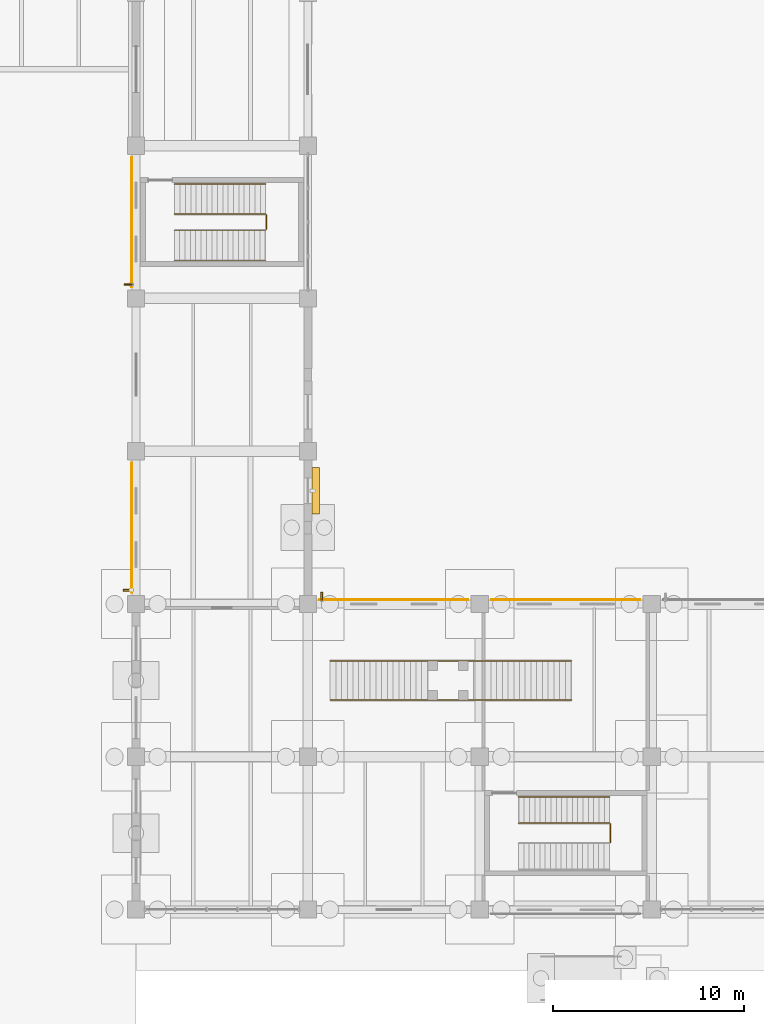
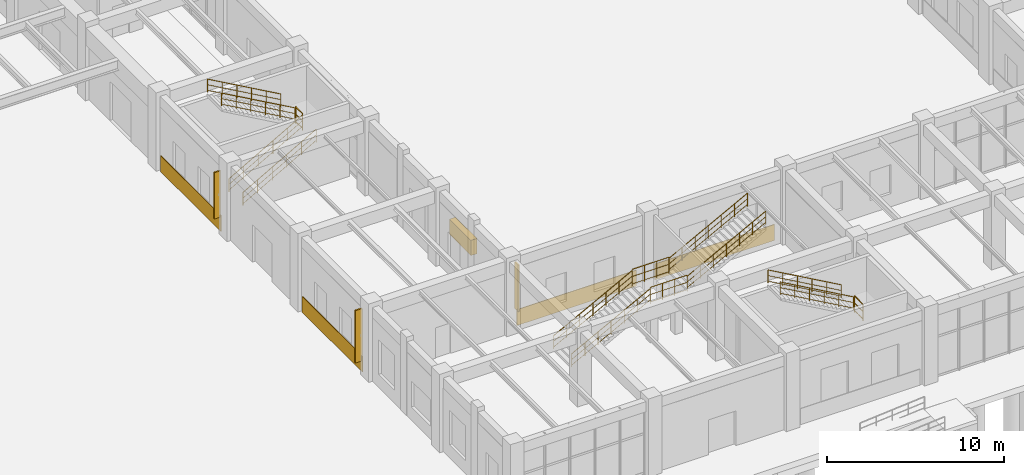
# One storey, part 112 of 121: 14 railings, 4 coverings, 4 shading devices.
"""IFC4 building model written with IfcOpenShell, lengths in metres."""

from ifc_helpers import new_model, si_unit, derived_unit, direction, frame, origin, origin_2d, place, context, subcontext, project, spatial, rectangle, circle, extrude, material, layer, layer_set, type_object, element, save


model = new_model("IFC4")

# Units and contexts
model_context = context("Model", 3, precision=1e-05, world=origin(), true_north=direction((0.0, 1.0)))
body_context = subcontext(model_context, "Body", "Model", "MODEL_VIEW")
ifc_project = project(units=[si_unit("LENGTHUNIT", "METRE"), si_unit("AREAUNIT", "SQUARE_METRE"), si_unit("VOLUMEUNIT", "CUBIC_METRE"), si_unit("PLANEANGLEUNIT", "RADIAN"), si_unit("MASSUNIT", "GRAM", prefix="KILO"), derived_unit("THERMALTRANSMITTANCEUNIT", [(si_unit("MASSUNIT", "GRAM", prefix="KILO"), 1), (si_unit("TIMEUNIT", "SECOND"), -3), (si_unit("THERMODYNAMICTEMPERATUREUNIT", "KELVIN"), -1)])], contexts=[model_context])

# Site, building, storey
site_placement = place(None, origin())
site = spatial("IfcSite", under=ifc_project, at=site_placement, CompositionType="ELEMENT")
building_placement = place(site_placement, origin())
building = spatial("IfcBuilding", under=site, at=building_placement, Name="Zhenchuan Archway Interchange", CompositionType="ELEMENT")
storey_placement = place(building_placement, origin())
storey = spatial("IfcBuildingStorey", under=building, at=storey_placement, Name="L00", CompositionType="ELEMENT", Elevation=0.0)

# Coverings
ifc_material_1 = material(Name="Granite Stone Cladding", Category="masonry")
ifc_layer = layer(ifc_material_1, 0.0400390625)
ifc_layer_set = layer_set([ifc_layer], Name="Granite Stone Cladding")
covering_type = type_object("IfcCoveringType", Name="COV_CLAD_GRANITE", PredefinedType="CLADDING", material=ifc_layer_set)
for number, where, z_axis, x_axis, name in (
    (1, (98.77197265625, 28.0, 0.0), (0.0, 0.0, 1.0), (0.0, 1.0, 0.0), "Pearl-grey granite plinth band 089"),
    (2, (98.77197265625, 44.0, 0.0), (0.0, 0.0, 1.0), (0.0, 1.0, 0.0), "Pearl-grey granite plinth band 091"),
):
    element("IfcCovering", number, at=place(storey_placement, frame(where, z_axis=z_axis, x_axis=x_axis)), inside=storey, type_object=covering_type, Name=name, PredefinedType="CLADDING", context=body_context, shape_type="SweptSolid", body=[
        extrude(rectangle(XDim=6.803955078125, YDim=0.0400390625, at=origin_2d()), origin(), (0.0, 0.0, 1.0), 1.10009765625),
    ])
for number, where, z_axis, x_axis, name in (
    (3, (112.5, 24.22802734375, 0.0), (0.0, 0.0, 1.0), (1.0, 0.0, 0.0), "Pearl-grey granite plinth band 127"),
    (4, (121.5, 24.22802734375, 0.0), (0.0, 0.0, 1.0), (1.0, 0.0, 0.0), "Pearl-grey granite plinth band 128"),
):
    element("IfcCovering", number, at=place(storey_placement, frame(where, z_axis=z_axis, x_axis=x_axis)), inside=storey, type_object=covering_type, Name=name, PredefinedType="CLADDING", context=body_context, shape_type="SweptSolid", body=[
        extrude(rectangle(XDim=7.803955078125, YDim=0.0400390625, at=origin_2d()), origin(), (0.0, 0.0, 1.0), 1.10009765625),
    ])

# Railings
ifc_material_2 = material(Name="Painted Galvanised Steel", Category="steel")
railing_type_1 = type_object("IfcRailingType", Name="RL_GUARD_1150", PredefinedType="GUARDRAIL", material=ifc_material_2)
railing_1_placement = place(storey_placement, frame((123.844970703125, 11.514892578125, 2.699951171875)))
element("IfcRailing", 5, at=railing_1_placement, inside=storey, type_object=railing_type_1, Name="Stair ST-O5 half-landing slot guard (L00)", PredefinedType="GUARDRAIL", context=body_context, shape_type="SweptSolid", body=[
    extrude(circle(Radius=0.02392578125, at=origin_2d()), frame((0.0, 0.0, 1.1259765625), z_axis=(0.0, 1.0, 0.0), x_axis=(-1.0, 0.0, 0.0)), (0.0, 0.0, 1.0), 0.97021484375),
    extrude(circle(Radius=0.01611328125, at=origin_2d()), frame((0.0, 0.0, 0.63232421875), z_axis=(0.0, 1.0, 0.0), x_axis=(-1.0, 0.0, 0.0)), (0.0, 0.0, 1.0), 0.97021484375),
    extrude(circle(Radius=0.01611328125, at=origin_2d()), frame((0.0, 0.0, 0.1201171875), z_axis=(0.0, 1.0, 0.0), x_axis=(-1.0, 0.0, 0.0)), (0.0, 0.0, 1.0), 0.97021484375),
    extrude(circle(Radius=0.02099609375, at=origin_2d()), origin(), (0.0, 0.0, 1.0), 1.1259765625),
    extrude(circle(Radius=0.02099609375, at=origin_2d()), frame((0.0, 0.97021484375, 0.0)), (0.0, 0.0, 1.0), 1.1259765625),
])
railing_2_placement = place(storey_placement, frame((105.824951171875, 43.614990234375, 2.699951171875)))
element("IfcRailing", 6, at=railing_2_placement, inside=storey, type_object=railing_type_1, Name="Stair ST-BR half-landing slot guard (L00)", PredefinedType="GUARDRAIL", context=body_context, shape_type="SweptSolid", body=[
    extrude(circle(Radius=0.02392578125, at=origin_2d()), frame((0.0, 0.0, 1.1259765625), z_axis=(0.0, 1.0, 0.0), x_axis=(-1.0, 0.0, 0.0)), (0.0, 0.0, 1.0), 0.77001953125),
    extrude(circle(Radius=0.01611328125, at=origin_2d()), frame((0.0, 0.0, 0.63232421875), z_axis=(0.0, 1.0, 0.0), x_axis=(-1.0, 0.0, 0.0)), (0.0, 0.0, 1.0), 0.77001953125),
    extrude(circle(Radius=0.01611328125, at=origin_2d()), frame((0.0, 0.0, 0.1201171875), z_axis=(0.0, 1.0, 0.0), x_axis=(-1.0, 0.0, 0.0)), (0.0, 0.0, 1.0), 0.77001953125),
    extrude(circle(Radius=0.02099609375, at=origin_2d()), origin(), (0.0, 0.0, 1.0), 1.1259765625),
    extrude(circle(Radius=0.02099609375, at=origin_2d()), frame((0.0, 0.77001953125, 0.0)), (0.0, 0.0, 1.0), 1.1259765625),
])
for number, where, name in (
    (7, (114.280029296875, 18.97509765625, 2.699951171875), "Stair ST-P5 landing guard 1"),
    (8, (114.280029296875, 21.02490234375, 2.699951171875), "Stair ST-P5 landing guard 2"),
):
    element("IfcRailing", number, at=place(storey_placement, frame(where)), inside=storey, type_object=railing_type_1, Name=name, PredefinedType="GUARDRAIL", context=body_context, shape_type="SweptSolid", body=[
        extrude(circle(Radius=0.02392578125, at=origin_2d()), frame((0.0, 0.0, 1.1259765625), z_axis=(1.0, 0.0, 0.0), x_axis=(0.0, 1.0, 0.0)), (0.0, 0.0, 1.0), 2.39990234375),
        extrude(circle(Radius=0.01611328125, at=origin_2d()), frame((0.0, 0.0, 0.63232421875), z_axis=(1.0, 0.0, 0.0), x_axis=(0.0, 1.0, 0.0)), (0.0, 0.0, 1.0), 2.39990234375),
        extrude(circle(Radius=0.01611328125, at=origin_2d()), frame((0.0, 0.0, 0.1201171875), z_axis=(1.0, 0.0, 0.0), x_axis=(0.0, 1.0, 0.0)), (0.0, 0.0, 1.0), 2.39990234375),
        extrude(circle(Radius=0.02099609375, at=origin_2d()), origin(), (0.0, 0.0, 1.0), 1.1259765625),
        extrude(circle(Radius=0.02099609375, at=origin_2d()), frame((0.800048828125, 0.0, 0.0)), (0.0, 0.0, 1.0), 1.1259765625),
        extrude(circle(Radius=0.02099609375, at=origin_2d()), frame((1.599853515625, 0.0, 0.0)), (0.0, 0.0, 1.0), 1.1259765625),
        extrude(circle(Radius=0.02099609375, at=origin_2d()), frame((2.39990234375, 0.0, 0.0)), (0.0, 0.0, 1.0), 1.1259765625),
    ])
ifc_material_3 = material(Name="Stainless Steel 304", Category="steel")
railing_type_2 = type_object("IfcRailingType", Name="RL_HAND_920", PredefinedType="HANDRAIL", material=ifc_material_3)
for number, where, name in (
    (9, (123.804931640625, 12.52490234375, 2.85009765625), "Stair ST-O5 handrail 3 (L00)"),
    (10, (123.804931640625, 13.89501953125, 2.85009765625), "Stair ST-O5 handrail 4 (L00)"),
):
    element("IfcRailing", number, at=place(storey_placement, frame(where)), inside=storey, type_object=railing_type_2, Name=name, PredefinedType="HANDRAIL", context=body_context, shape_type="SweptSolid", body=[
        extrude(circle(Radius=0.02392578125, at=origin_2d()), frame((0.0, 0.0, 0.89599609375), z_axis=(-0.870703607627, 0.0, 0.49180812078), x_axis=(0.0, -1.0, 0.0)), (0.0, 0.0, 1.0), 5.48974609375),
        extrude(circle(Radius=0.01611328125, at=origin_2d()), frame((0.0, 0.0, 0.505859375), z_axis=(-0.870703607627, 0.0, 0.49180812078), x_axis=(0.0, -1.0, 0.0)), (0.0, 0.0, 1.0), 5.48974609375),
        extrude(circle(Radius=0.01611328125, at=origin_2d()), frame((0.0, 0.0, 0.1201171875), z_axis=(-0.870703607627, 0.0, 0.49180812078), x_axis=(0.0, -1.0, 0.0)), (0.0, 0.0, 1.0), 5.48974609375),
        extrude(circle(Radius=0.02099609375, at=origin_2d()), origin(), (0.0, 0.0, 1.0), 0.89599609375),
        extrude(circle(Radius=0.02099609375, at=origin_2d()), frame((-0.9560546875, 0.0, 0.5400390625)), (0.0, 0.0, 1.0), 0.89599609375),
        extrude(circle(Radius=0.02099609375, at=origin_2d()), frame((-1.912109375, 0.0, 1.080078125)), (0.0, 0.0, 1.0), 0.89599609375),
        extrude(circle(Radius=0.02099609375, at=origin_2d()), frame((-2.867919921875, 0.0, 1.619873046875)), (0.0, 0.0, 1.0), 0.89599609375),
        extrude(circle(Radius=0.02099609375, at=origin_2d()), frame((-3.823974609375, 0.0, 2.159912109375)), (0.0, 0.0, 1.0), 0.89599609375),
        extrude(circle(Radius=0.02099609375, at=origin_2d()), frame((-4.780029296875, 0.0, 2.699951171875)), (0.0, 0.0, 1.0), 0.89599609375),
    ])
for number, where, name in (
    (11, (101.0048828125, 42.0048828125, 0.14990234375), "Stair ST-BR handrail 1 (L00)"),
    (12, (101.0048828125, 43.574951171875, 0.14990234375), "Stair ST-BR handrail 2 (L00)"),
):
    element("IfcRailing", number, at=place(storey_placement, frame(where)), inside=storey, type_object=railing_type_2, Name=name, PredefinedType="HANDRAIL", context=body_context, shape_type="SweptSolid", body=[
        extrude(circle(Radius=0.02392578125, at=origin_2d()), frame((0.0, 0.0, 0.89599609375), z_axis=(0.87068456393, 0.0, 0.491841834469), x_axis=(0.0, 1.0, 0.0)), (0.0, 0.0, 1.0), 5.489990234375),
        extrude(circle(Radius=0.01611328125, at=origin_2d()), frame((0.0, 0.0, 0.505859375), z_axis=(0.87068456393, 0.0, 0.491841834469), x_axis=(0.0, 1.0, 0.0)), (0.0, 0.0, 1.0), 5.489990234375),
        extrude(circle(Radius=0.01611328125, at=origin_2d()), frame((0.0, 0.0, 0.1201171875), z_axis=(0.87068456393, 0.0, 0.491841834469), x_axis=(0.0, 1.0, 0.0)), (0.0, 0.0, 1.0), 5.489990234375),
        extrude(circle(Radius=0.02099609375, at=origin_2d()), origin(), (0.0, 0.0, 1.0), 0.89599609375),
        extrude(circle(Radius=0.02099609375, at=origin_2d()), frame((0.9560546875, 0.0, 0.5400390625)), (0.0, 0.0, 1.0), 0.89599609375),
        extrude(circle(Radius=0.02099609375, at=origin_2d()), frame((1.912109375, 0.0, 1.080078125)), (0.0, 0.0, 1.0), 0.89599609375),
        extrude(circle(Radius=0.02099609375, at=origin_2d()), frame((2.867919921875, 0.0, 1.6201171875)), (0.0, 0.0, 1.0), 0.89599609375),
        extrude(circle(Radius=0.02099609375, at=origin_2d()), frame((3.823974609375, 0.0, 2.16015625)), (0.0, 0.0, 1.0), 0.89599609375),
        extrude(circle(Radius=0.02099609375, at=origin_2d()), frame((4.780029296875, 0.0, 2.7001953125)), (0.0, 0.0, 1.0), 0.89599609375),
    ])
for number, where, name in (
    (13, (105.784912109375, 44.425048828125, 2.85009765625), "Stair ST-BR handrail 3 (L00)"),
    (14, (105.784912109375, 45.9951171875, 2.85009765625), "Stair ST-BR handrail 4 (L00)"),
):
    element("IfcRailing", number, at=place(storey_placement, frame(where)), inside=storey, type_object=railing_type_2, Name=name, PredefinedType="HANDRAIL", context=body_context, shape_type="SweptSolid", body=[
        extrude(circle(Radius=0.02392578125, at=origin_2d()), frame((0.0, 0.0, 0.89599609375), z_axis=(-0.870703607627, 0.0, 0.49180812078), x_axis=(0.0, -1.0, 0.0)), (0.0, 0.0, 1.0), 5.48974609375),
        extrude(circle(Radius=0.01611328125, at=origin_2d()), frame((0.0, 0.0, 0.505859375), z_axis=(-0.870703607627, 0.0, 0.49180812078), x_axis=(0.0, -1.0, 0.0)), (0.0, 0.0, 1.0), 5.48974609375),
        extrude(circle(Radius=0.01611328125, at=origin_2d()), frame((0.0, 0.0, 0.1201171875), z_axis=(-0.870703607627, 0.0, 0.49180812078), x_axis=(0.0, -1.0, 0.0)), (0.0, 0.0, 1.0), 5.48974609375),
        extrude(circle(Radius=0.02099609375, at=origin_2d()), origin(), (0.0, 0.0, 1.0), 0.89599609375),
        extrude(circle(Radius=0.02099609375, at=origin_2d()), frame((-0.9560546875, 0.0, 0.5400390625)), (0.0, 0.0, 1.0), 0.89599609375),
        extrude(circle(Radius=0.02099609375, at=origin_2d()), frame((-1.912109375, 0.0, 1.080078125)), (0.0, 0.0, 1.0), 0.89599609375),
        extrude(circle(Radius=0.02099609375, at=origin_2d()), frame((-2.867919921875, 0.0, 1.619873046875)), (0.0, 0.0, 1.0), 0.89599609375),
        extrude(circle(Radius=0.02099609375, at=origin_2d()), frame((-3.823974609375, 0.0, 2.159912109375)), (0.0, 0.0, 1.0), 0.89599609375),
        extrude(circle(Radius=0.02099609375, at=origin_2d()), frame((-4.780029296875, 0.0, 2.699951171875)), (0.0, 0.0, 1.0), 0.89599609375),
    ])
railing_3_placement = place(storey_placement, frame((109.159912109375, 18.97509765625, 0.14990234375)))
element("IfcRailing", 15, at=railing_3_placement, inside=storey, type_object=railing_type_2, Name="Stair ST-P5 lower flight handrail 1", PredefinedType="HANDRAIL", context=body_context, shape_type="SweptSolid", body=[
    extrude(circle(Radius=0.02392578125, at=origin_2d()), frame((0.0, 0.0, 0.89599609375), z_axis=(0.884533663238, 0.0, 0.466476364458), x_axis=(0.0, 1.0, 0.0)), (0.0, 0.0, 1.0), 5.78857421875),
    extrude(circle(Radius=0.01611328125, at=origin_2d()), frame((0.0, 0.0, 0.505859375), z_axis=(0.884533663238, 0.0, 0.466476364458), x_axis=(0.0, 1.0, 0.0)), (0.0, 0.0, 1.0), 5.78857421875),
    extrude(circle(Radius=0.01611328125, at=origin_2d()), frame((0.0, 0.0, 0.1201171875), z_axis=(0.884533663238, 0.0, 0.466476364458), x_axis=(0.0, 1.0, 0.0)), (0.0, 0.0, 1.0), 5.78857421875),
    extrude(circle(Radius=0.02099609375, at=origin_2d()), origin(), (0.0, 0.0, 1.0), 0.89599609375),
    extrude(circle(Radius=0.02099609375, at=origin_2d()), frame((0.853271484375, 0.0, 0.449951171875)), (0.0, 0.0, 1.0), 0.89599609375),
    extrude(circle(Radius=0.02099609375, at=origin_2d()), frame((1.706787109375, 0.0, 0.900146484375)), (0.0, 0.0, 1.0), 0.89599609375),
    extrude(circle(Radius=0.02099609375, at=origin_2d()), frame((2.56005859375, 0.0, 1.35009765625)), (0.0, 0.0, 1.0), 0.89599609375),
    extrude(circle(Radius=0.02099609375, at=origin_2d()), frame((3.413330078125, 0.0, 1.800048828125)), (0.0, 0.0, 1.0), 0.89599609375),
    extrude(circle(Radius=0.02099609375, at=origin_2d()), frame((4.266845703125, 0.0, 2.250244140625)), (0.0, 0.0, 1.0), 0.89599609375),
    extrude(circle(Radius=0.02099609375, at=origin_2d()), frame((5.1201171875, 0.0, 2.7001953125)), (0.0, 0.0, 1.0), 0.89599609375),
])
railing_4_placement = place(storey_placement, frame((116.679931640625, 18.97509765625, 2.85009765625)))
element("IfcRailing", 16, at=railing_4_placement, inside=storey, type_object=railing_type_2, Name="Stair ST-P5 upper flight handrail 1", PredefinedType="HANDRAIL", context=body_context, shape_type="SweptSolid", body=[
    extrude(circle(Radius=0.02392578125, at=origin_2d()), frame((0.0, 0.0, 0.89599609375), z_axis=(0.884551065741, 0.0, 0.466443364297), x_axis=(0.0, 1.0, 0.0)), (0.0, 0.0, 1.0), 5.788330078125),
    extrude(circle(Radius=0.01611328125, at=origin_2d()), frame((0.0, 0.0, 0.505859375), z_axis=(0.884551065741, 0.0, 0.466443364297), x_axis=(0.0, 1.0, 0.0)), (0.0, 0.0, 1.0), 5.788330078125),
    extrude(circle(Radius=0.01611328125, at=origin_2d()), frame((0.0, 0.0, 0.1201171875), z_axis=(0.884551065741, 0.0, 0.466443364297), x_axis=(0.0, 1.0, 0.0)), (0.0, 0.0, 1.0), 5.788330078125),
    extrude(circle(Radius=0.02099609375, at=origin_2d()), origin(), (0.0, 0.0, 1.0), 0.89599609375),
    extrude(circle(Radius=0.02099609375, at=origin_2d()), frame((0.853271484375, 0.0, 0.449951171875)), (0.0, 0.0, 1.0), 0.89599609375),
    extrude(circle(Radius=0.02099609375, at=origin_2d()), frame((1.706787109375, 0.0, 0.89990234375)), (0.0, 0.0, 1.0), 0.89599609375),
    extrude(circle(Radius=0.02099609375, at=origin_2d()), frame((2.56005859375, 0.0, 1.35009765625)), (0.0, 0.0, 1.0), 0.89599609375),
    extrude(circle(Radius=0.02099609375, at=origin_2d()), frame((3.413330078125, 0.0, 1.800048828125)), (0.0, 0.0, 1.0), 0.89599609375),
    extrude(circle(Radius=0.02099609375, at=origin_2d()), frame((4.266845703125, 0.0, 2.25)), (0.0, 0.0, 1.0), 0.89599609375),
    extrude(circle(Radius=0.02099609375, at=origin_2d()), frame((5.1201171875, 0.0, 2.699951171875)), (0.0, 0.0, 1.0), 0.89599609375),
])
railing_5_placement = place(storey_placement, frame((109.159912109375, 21.02490234375, 0.14990234375)))
element("IfcRailing", 17, at=railing_5_placement, inside=storey, type_object=railing_type_2, Name="Stair ST-P5 lower flight handrail 2", PredefinedType="HANDRAIL", context=body_context, shape_type="SweptSolid", body=[
    extrude(circle(Radius=0.02392578125, at=origin_2d()), frame((0.0, 0.0, 0.89599609375), z_axis=(0.884533663238, 0.0, 0.466476364458), x_axis=(0.0, 1.0, 0.0)), (0.0, 0.0, 1.0), 5.78857421875),
    extrude(circle(Radius=0.01611328125, at=origin_2d()), frame((0.0, 0.0, 0.505859375), z_axis=(0.884533663238, 0.0, 0.466476364458), x_axis=(0.0, 1.0, 0.0)), (0.0, 0.0, 1.0), 5.78857421875),
    extrude(circle(Radius=0.01611328125, at=origin_2d()), frame((0.0, 0.0, 0.1201171875), z_axis=(0.884533663238, 0.0, 0.466476364458), x_axis=(0.0, 1.0, 0.0)), (0.0, 0.0, 1.0), 5.78857421875),
    extrude(circle(Radius=0.02099609375, at=origin_2d()), origin(), (0.0, 0.0, 1.0), 0.89599609375),
    extrude(circle(Radius=0.02099609375, at=origin_2d()), frame((0.853271484375, 0.0, 0.449951171875)), (0.0, 0.0, 1.0), 0.89599609375),
    extrude(circle(Radius=0.02099609375, at=origin_2d()), frame((1.706787109375, 0.0, 0.900146484375)), (0.0, 0.0, 1.0), 0.89599609375),
    extrude(circle(Radius=0.02099609375, at=origin_2d()), frame((2.56005859375, 0.0, 1.35009765625)), (0.0, 0.0, 1.0), 0.89599609375),
    extrude(circle(Radius=0.02099609375, at=origin_2d()), frame((3.413330078125, 0.0, 1.800048828125)), (0.0, 0.0, 1.0), 0.89599609375),
    extrude(circle(Radius=0.02099609375, at=origin_2d()), frame((4.266845703125, 0.0, 2.250244140625)), (0.0, 0.0, 1.0), 0.89599609375),
    extrude(circle(Radius=0.02099609375, at=origin_2d()), frame((5.1201171875, 0.0, 2.7001953125)), (0.0, 0.0, 1.0), 0.89599609375),
])
railing_6_placement = place(storey_placement, frame((116.679931640625, 21.02490234375, 2.85009765625)))
element("IfcRailing", 18, at=railing_6_placement, inside=storey, type_object=railing_type_2, Name="Stair ST-P5 upper flight handrail 2", PredefinedType="HANDRAIL", context=body_context, shape_type="SweptSolid", body=[
    extrude(circle(Radius=0.02392578125, at=origin_2d()), frame((0.0, 0.0, 0.89599609375), z_axis=(0.884551065741, 0.0, 0.466443364297), x_axis=(0.0, 1.0, 0.0)), (0.0, 0.0, 1.0), 5.788330078125),
    extrude(circle(Radius=0.01611328125, at=origin_2d()), frame((0.0, 0.0, 0.505859375), z_axis=(0.884551065741, 0.0, 0.466443364297), x_axis=(0.0, 1.0, 0.0)), (0.0, 0.0, 1.0), 5.788330078125),
    extrude(circle(Radius=0.01611328125, at=origin_2d()), frame((0.0, 0.0, 0.1201171875), z_axis=(0.884551065741, 0.0, 0.466443364297), x_axis=(0.0, 1.0, 0.0)), (0.0, 0.0, 1.0), 5.788330078125),
    extrude(circle(Radius=0.02099609375, at=origin_2d()), origin(), (0.0, 0.0, 1.0), 0.89599609375),
    extrude(circle(Radius=0.02099609375, at=origin_2d()), frame((0.853271484375, 0.0, 0.449951171875)), (0.0, 0.0, 1.0), 0.89599609375),
    extrude(circle(Radius=0.02099609375, at=origin_2d()), frame((1.706787109375, 0.0, 0.89990234375)), (0.0, 0.0, 1.0), 0.89599609375),
    extrude(circle(Radius=0.02099609375, at=origin_2d()), frame((2.56005859375, 0.0, 1.35009765625)), (0.0, 0.0, 1.0), 0.89599609375),
    extrude(circle(Radius=0.02099609375, at=origin_2d()), frame((3.413330078125, 0.0, 1.800048828125)), (0.0, 0.0, 1.0), 0.89599609375),
    extrude(circle(Radius=0.02099609375, at=origin_2d()), frame((4.266845703125, 0.0, 2.25)), (0.0, 0.0, 1.0), 0.89599609375),
    extrude(circle(Radius=0.02099609375, at=origin_2d()), frame((5.1201171875, 0.0, 2.699951171875)), (0.0, 0.0, 1.0), 0.89599609375),
])

# Shading devices
ifc_material_4 = material(Name="Terracotta Ceramic", Category="masonry")
shading_device_type_1 = type_object("IfcShadingDeviceType", Name="SHD_FIN_1", PredefinedType="USERDEFINED", material=ifc_material_4)
for number, where, z_axis, x_axis, name in (
    (19, (98.5859375, 40.72802734375, 0.93017578125), (0.0, 0.0, 1.0), (0.0, 1.0, 0.0), "Terracotta vertical solar fin L00-018"),
    (20, (108.72802734375, 24.4140625, 0.93017578125), (0.0, 0.0, 1.0), (1.0, 0.0, 0.0), "Terracotta vertical solar fin L00-027"),
):
    element("IfcShadingDevice", number, at=place(storey_placement, frame(where, z_axis=z_axis, x_axis=x_axis)), inside=storey, type_object=shading_device_type_1, Name=name, ObjectType="FINS", PredefinedType="USERDEFINED", context=body_context, shape_type="SweptSolid", body=[
        extrude(rectangle(XDim=0.090087890625, YDim=0.419921875, at=origin_2d()), origin(), (0.0, 0.0, 1.0), 3.199951171875),
    ])
shading_device_type_2 = type_object("IfcShadingDeviceType", Name="SHD_FIN_3", PredefinedType="USERDEFINED", material=ifc_material_4)
shading_device_1_placement = place(storey_placement, frame((98.56591796875, 24.72802734375, 0.72998046875), z_axis=(0.0, 0.0, 1.0), x_axis=(0.0, 1.0, 0.0)))
element("IfcShadingDevice", 21, at=shading_device_1_placement, inside=storey, type_object=shading_device_type_2, Name="Terracotta vertical solar fin L00-017", ObjectType="FINS", PredefinedType="USERDEFINED", context=body_context, shape_type="SweptSolid", body=[
    extrude(rectangle(XDim=0.10009765625, YDim=0.4599609375, at=origin_2d()), origin(), (0.0, 0.0, 1.0), 3.60009765625),
])
ifc_material_5 = material(Name="Anodised Aluminium", Category="aluminium")
shading_device_type_3 = type_object("IfcShadingDeviceType", Name="SHD_LOUVRE_3", PredefinedType="JALOUSIE", material=ifc_material_5)
shading_device_2_placement = place(storey_placement, frame((108.404052734375, 29.9375, 2.22509765625), z_axis=(0.0, 0.0, 1.0), x_axis=(0.0, -1.0, 0.0)))
element("IfcShadingDevice", 22, at=shading_device_2_placement, inside=storey, type_object=shading_device_type_3, Name="Monsoon storm-louvre jalousie L00-026", PredefinedType="JALOUSIE", context=body_context, shape_type="SweptSolid", body=[
    extrude(rectangle(XDim=2.428955078125, YDim=0.39990234375, at=origin_2d()), origin(), (0.0, 0.0, 1.0), 1.050048828125),
])

save(model, "model.ifc")
